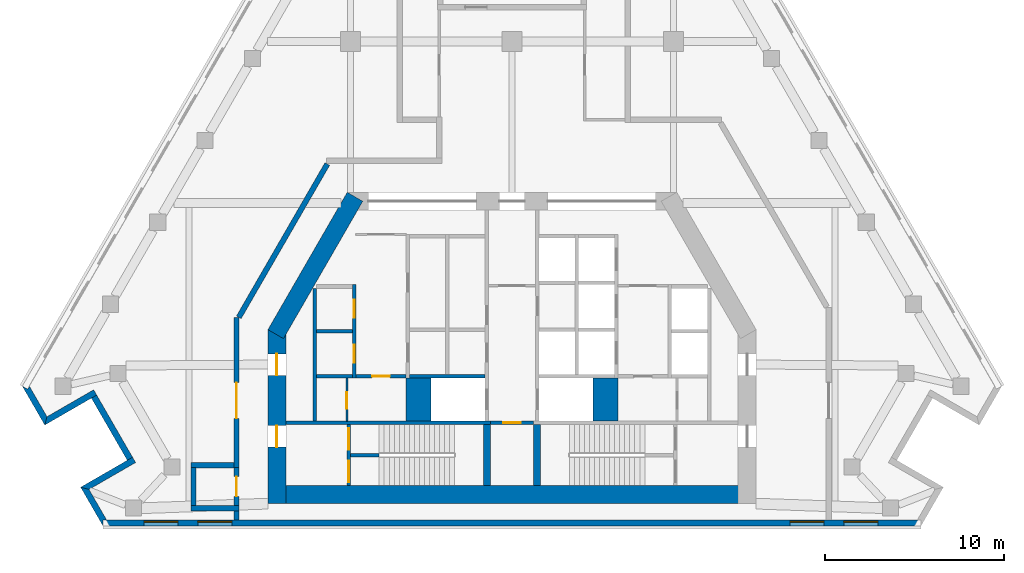
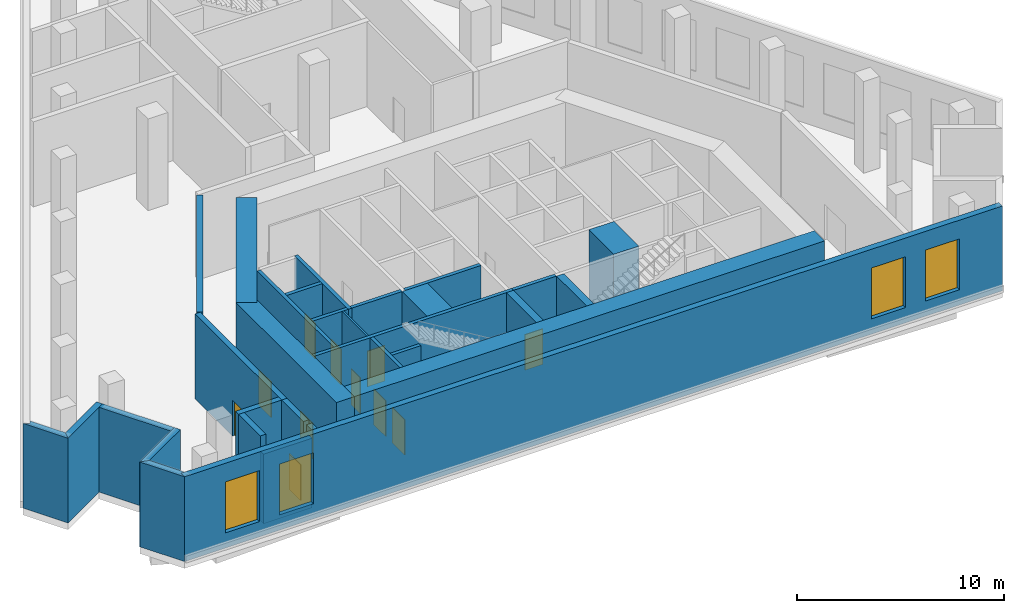
# One storey, part 2 of 7: 31 walls, 11 doors, 4 windows, 15 openings.
"""IFC4 building model written with IfcOpenShell, lengths in metres."""

from ifc_helpers import new_model, si_unit, direction, frame, frame_2d, origin, place, context, subcontext, project, spatial, polyline, rectangle, outline, extrude, material, layer, layer_set, type_object, element, fill, save


model = new_model("IFC4")

# Units and contexts
model_context = context("Model", 3, precision=1e-05, world=origin(), true_north=direction((0.0, 1.0)))
body_context = subcontext(model_context, "Body", "Model", "MODEL_VIEW")
ifc_project = project(units=[si_unit("LENGTHUNIT", "METRE"), si_unit("AREAUNIT", "SQUARE_METRE"), si_unit("VOLUMEUNIT", "CUBIC_METRE"), si_unit("PLANEANGLEUNIT", "RADIAN"), si_unit("MASSUNIT", "GRAM", prefix="KILO")], contexts=[model_context])

# Site, building, storey
site_placement = place(None, origin())
site = spatial("IfcSite", under=ifc_project, at=site_placement, CompositionType="ELEMENT")
building_placement = place(site_placement, origin())
building = spatial("IfcBuilding", under=site, at=building_placement, Name="Fogline Exchange Tower", CompositionType="ELEMENT")
storey_placement = place(building_placement, frame((0.0, 0.0, 218.10009765625)))
storey = spatial("IfcBuildingStorey", under=building, at=storey_placement, Name="L49", CompositionType="ELEMENT", Elevation=218.10009765625)

# Wall, opening, door
ifc_material_1 = material(Name="Blockwork partition", Category="masonry")
ifc_layer_1 = layer(ifc_material_1, 0.10009765625)
ifc_layer_set_1 = layer_set([ifc_layer_1], Name="CW10")
wall_type_1 = type_object("IfcWallType", Name="CW10", PredefinedType="PARTITIONING", material=ifc_layer_set_1)
wall_1_placement = place(storey_placement, frame((-9.199951171875, 5.85009765625, 0.0), z_axis=(0.0, 0.0, 1.0), x_axis=(0.0, 1.0, 0.0)))
wall_1 = element("IfcWall", 1, at=wall_1_placement, inside=storey, type_object=wall_type_1, Name="WC partition", PredefinedType="PARTITIONING", context=body_context, shape_type="SweptSolid", body=[
    extrude(rectangle(XDim=2.39990234375, YDim=0.10009765625, at=frame_2d((1.199951171875, 0.0))), origin(), (0.0, 0.0, 1.0), 5.0),
])
opening_1_placement = place(wall_1_placement, frame((0.699951171875, 0.0, 0.0)))
opening_1 = element("IfcOpeningElement", 2, at=opening_1_placement, cuts=wall_1, Name="Opening L49-C011", PredefinedType="OPENING", context=body_context, shape_type="SweptSolid", body=[
    extrude(rectangle(XDim=0.89990234375, YDim=2.10009765625, at=frame_2d((0.449951171875, 1.050048828125))), frame((0.0, 0.06005859375, 0.0), z_axis=(0.0, -1.0, 0.0), x_axis=(1.0, 0.0, 0.0)), (0.0, 0.0, 1.0), 0.1201171875),
])
ifc_material_2 = material(Name="Steel and timber fire door", Category="steel")
door_type_1 = type_object("IfcDoorType", Name="D-CS1", OperationType="SINGLE_SWING_RIGHT", PredefinedType="DOOR", material=ifc_material_2)
door_1_placement = place(opening_1_placement, origin())
door_1 = element("IfcDoor", 3, at=door_1_placement, inside=storey, type_object=door_type_1, Name="Door to Plumbing Plant Room", OperationType="SINGLE_SWING_LEFT", OverallHeight=2.10009765625, OverallWidth=0.89990234375, PredefinedType="DOOR", context=body_context, shape_type="SweptSolid", body=[
    extrude(rectangle(XDim=0.89990234375, YDim=2.10009765625, at=frame_2d((0.449951171875, 1.050048828125))), frame((0.0, 0.02490234375, 0.0), z_axis=(0.0, -1.0, 0.0), x_axis=(1.0, 0.0, 0.0)), (0.0, 0.0, 1.0), 0.050048828125),
])
fill(opening_1, door_1)

# Walls
ifc_material_3 = material(Name="Concrete C60", Category="concrete")
ifc_layer_2 = layer(ifc_material_3, 1.39990234375)
ifc_layer_set_2 = layer_set([ifc_layer_2], Name="CW140")
wall_type_2 = type_object("IfcWallType", Name="CW140", PredefinedType="SOLIDWALL", material=ifc_layer_set_2)
for number, where, z_axis, x_axis, name in (
    (4, (-5.199951171875, 5.85009765625, -0.400146484375), (0.0, 0.0, 1.0), (0.0, 1.0, 0.0), "Lift shaft block wall"),
    (5, (5.199951171875, 5.85009765625, -0.400146484375), (0.0, 0.0, 1.0), (0.0, 1.0, 0.0), "Lift shaft block wall"),
):
    element("IfcWall", number, at=place(storey_placement, frame(where, z_axis=z_axis, x_axis=x_axis)), inside=storey, type_object=wall_type_2, Name=name, PredefinedType="SOLIDWALL", context=body_context, shape_type="SweptSolid", body=[
        extrude(rectangle(XDim=2.39990234375, YDim=1.39990234375, at=frame_2d((1.199951171875, 0.0))), origin(), (0.0, 0.0, 1.0), 5.400146484375),
    ])
ifc_material_4 = material(Name="Concrete C40", Category="concrete")
ifc_layer_3 = layer(ifc_material_4, 0.199951171875)
ifc_layer_set_3 = layer_set([ifc_layer_3], Name="CW20")
wall_type_3 = type_object("IfcWallType", Name="CW20", PredefinedType="SOLIDWALL", material=ifc_layer_set_3)
wall_2_placement = place(storey_placement, frame((-11.0, 5.85009765625, 0.0), z_axis=(0.0, 0.0, 1.0), x_axis=(0.0, 1.0, 0.0)))
element("IfcWall", 6, at=wall_2_placement, inside=storey, type_object=wall_type_3, Name="Service room wall", PredefinedType="SOLIDWALL", context=body_context, shape_type="SweptSolid", body=[
    extrude(rectangle(XDim=7.39990234375, YDim=0.199951171875, at=frame_2d((3.699951171875, 0.0))), origin(), (0.0, 0.0, 1.0), 5.0),
])
wall_3_placement = place(storey_placement, frame((-10.89990234375, 10.85009765625, 0.0), z_axis=(0.0, 0.0, 1.0), x_axis=(1.0, 0.0, 0.0)))
element("IfcWall", 7, at=wall_3_placement, inside=storey, type_object=wall_type_3, Name="Service room wall", PredefinedType="SOLIDWALL", context=body_context, shape_type="SweptSolid", body=[
    extrude(rectangle(XDim=2.0, YDim=0.199951171875, at=frame_2d((1.0, 0.0))), origin(), (0.0, 0.0, 1.0), 5.0),
])

# Wall, opening, door
wall_4_placement = place(storey_placement, frame((-8.699951171875, 8.35009765625, 0.0), z_axis=(0.0, 0.0, 1.0), x_axis=(1.0, 0.0, 0.0)))
wall_4 = element("IfcWall", 8, at=wall_4_placement, inside=storey, type_object=wall_type_3, Name="WC wall", PredefinedType="SOLIDWALL", context=body_context, shape_type="SweptSolid", body=[
    extrude(rectangle(XDim=2.800048828125, YDim=0.199951171875, at=frame_2d((1.39990234375, 0.0))), origin(), (0.0, 0.0, 1.0), 5.0),
])
opening_2_placement = place(wall_4_placement, frame((0.89990234375, 0.0, 0.0)))
opening_2 = element("IfcOpeningElement", 9, at=opening_2_placement, cuts=wall_4, Name="Opening L49-C010", PredefinedType="OPENING", context=body_context, shape_type="SweptSolid", body=[
    extrude(rectangle(XDim=1.0, YDim=2.10009765625, at=frame_2d((0.5, 1.050048828125))), frame((0.0, 0.10986328125, 0.0), z_axis=(0.0, -1.0, 0.0), x_axis=(1.0, 0.0, 0.0)), (0.0, 0.0, 1.0), 0.219970703125),
])
door_type_2 = type_object("IfcDoorType", Name="D-WC1", OperationType="SINGLE_SWING_LEFT", PredefinedType="DOOR", material=ifc_material_2)
door_2_placement = place(opening_2_placement, frame((1.0, 0.0, 0.0), z_axis=(0.0, 0.0, 1.0), x_axis=(-1.0, 0.0, 0.0)))
door_2 = element("IfcDoor", 10, at=door_2_placement, inside=storey, type_object=door_type_2, Name="Door to Men's WC", OperationType="SINGLE_SWING_LEFT", OverallHeight=2.10009765625, OverallWidth=1.0, PredefinedType="DOOR", context=body_context, shape_type="SweptSolid", body=[
    extrude(rectangle(XDim=1.0, YDim=2.10009765625, at=frame_2d((0.5, 1.050048828125))), frame((0.0, 0.02490234375, 0.0), z_axis=(0.0, -1.0, 0.0), x_axis=(1.0, 0.0, 0.0)), (0.0, 0.0, 1.0), 0.050048828125),
])
fill(opening_2, door_2)

# Walls
ifc_layer_4 = layer(ifc_material_4, 0.199951171875)
ifc_layer_set_4 = layer_set([ifc_layer_4], Name="CW20B")
wall_type_4 = type_object("IfcWallType", Name="CW20B", PredefinedType="SOLIDWALL", material=ifc_layer_set_4)
wall_5_placement = place(storey_placement, frame((-9.0, 3.949951171875, 0.0), z_axis=(0.0, 0.0, 1.0), x_axis=(1.0, 0.0, 0.0)))
element("IfcWall", 11, at=wall_5_placement, inside=storey, type_object=wall_type_4, Name="Stair separation wall", PredefinedType="SOLIDWALL", context=body_context, shape_type="SweptSolid", body=[
    extrude(rectangle(XDim=1.60009765625, YDim=0.199951171875, at=frame_2d((0.800048828125, 0.0))), origin(), (0.0, 0.0, 1.0), 5.0),
])
ifc_layer_5 = layer(ifc_material_4, 0.199951171875)
ifc_layer_set_5 = layer_set([ifc_layer_5], Name="CW20R")
wall_type_5 = type_object("IfcWallType", Name="CW20R", PredefinedType="SOLIDWALL", material=ifc_layer_set_5)
wall_6_placement = place(storey_placement, frame((-12.60009765625, 5.75, -0.400146484375), z_axis=(0.0, 0.0, 1.0), x_axis=(1.0, 0.0, 0.0)))
element("IfcWall", 12, at=wall_6_placement, inside=storey, type_object=wall_type_5, Name="Stair enclosure wall", PredefinedType="SOLIDWALL", context=body_context, shape_type="SweptSolid", body=[
    extrude(rectangle(XDim=11.400146484375, YDim=0.199951171875, at=frame_2d((5.7001953125, 0.0))), origin(), (0.0, 0.0, 1.0), 5.400146484375),
])

# Wall, opening, door
wall_7_placement = place(storey_placement, frame((-1.199951171875, 5.75, -0.400146484375), z_axis=(0.0, 0.0, 1.0), x_axis=(1.0, 0.0, 0.0)))
wall_7 = element("IfcWall", 13, at=wall_7_placement, inside=storey, type_object=wall_type_5, Name="Stair enclosure wall", PredefinedType="SOLIDWALL", context=body_context, shape_type="SweptSolid", body=[
    extrude(rectangle(XDim=2.39990234375, YDim=0.199951171875, at=frame_2d((1.199951171875, 0.0))), origin(), (0.0, 0.0, 1.0), 5.400146484375),
])
opening_3_placement = place(wall_7_placement, frame((0.699951171875, 0.0, 0.39990234375)))
opening_3 = element("IfcOpeningElement", 14, at=opening_3_placement, cuts=wall_7, Name="Opening L49-C008", PredefinedType="OPENING", context=body_context, shape_type="SweptSolid", body=[
    extrude(rectangle(XDim=1.0, YDim=2.10009765625, at=frame_2d((0.5, 1.050048828125))), frame((0.0, 0.10986328125, 0.0), z_axis=(0.0, -1.0, 0.0), x_axis=(1.0, 0.0, 0.0)), (0.0, 0.0, 1.0), 0.219970703125),
])
door_type_3 = type_object("IfcDoorType", Name="D-RM1", OperationType="SINGLE_SWING_LEFT", PredefinedType="DOOR", material=ifc_material_2)
door_3_placement = place(opening_3_placement, frame((1.0, 0.0, 0.0), z_axis=(0.0, 0.0, 1.0), x_axis=(-1.0, 0.0, 0.0)))
door_3 = element("IfcDoor", 15, at=door_3_placement, inside=storey, type_object=door_type_3, Name="Door to Pump Plant Room", OperationType="SINGLE_SWING_RIGHT", OverallHeight=2.10009765625, OverallWidth=1.0, PredefinedType="DOOR", context=body_context, shape_type="SweptSolid", body=[
    extrude(rectangle(XDim=1.0, YDim=2.10009765625, at=frame_2d((0.5, 1.050048828125))), frame((0.0, 0.02490234375, 0.0), z_axis=(0.0, -1.0, 0.0), x_axis=(1.0, 0.0, 0.0)), (0.0, 0.0, 1.0), 0.050048828125),
])
fill(opening_3, door_3)

# Wall, openings, doors
wall_8_placement = place(storey_placement, frame((-9.10009765625, 2.25, -0.400146484375), z_axis=(0.0, 0.0, 1.0), x_axis=(0.0, 1.0, 0.0)))
wall_8 = element("IfcWall", 16, at=wall_8_placement, inside=storey, type_object=wall_type_5, Name="Stair enclosure wall", PredefinedType="SOLIDWALL", context=body_context, shape_type="SweptSolid", body=[
    extrude(rectangle(XDim=3.39990234375, YDim=0.199951171875, at=frame_2d((1.699951171875, 0.0))), origin(), (0.0, 0.0, 1.0), 5.400146484375),
])
opening_4_placement = place(wall_8_placement, frame((0.199951171875, 0.0, 0.39990234375)))
opening_4 = element("IfcOpeningElement", 17, at=opening_4_placement, cuts=wall_8, Name="Opening L49-C013", PredefinedType="OPENING", context=body_context, shape_type="SweptSolid", body=[
    extrude(rectangle(XDim=1.199951171875, YDim=2.10009765625, at=frame_2d((0.60009765625, 1.050048828125))), frame((0.0, 0.10986328125, 0.0), z_axis=(0.0, -1.0, 0.0), x_axis=(1.0, 0.0, 0.0)), (0.0, 0.0, 1.0), 0.219970703125),
])
opening_5_placement = place(wall_8_placement, frame((2.0, 0.0, 0.39990234375)))
opening_5 = element("IfcOpeningElement", 18, at=opening_5_placement, cuts=wall_8, Name="Opening L49-C025", PredefinedType="OPENING", context=body_context, shape_type="SweptSolid", body=[
    extrude(rectangle(XDim=1.199951171875, YDim=2.10009765625, at=frame_2d((0.60009765625, 1.050048828125))), frame((0.0, 0.10986328125, 0.0), z_axis=(0.0, -1.0, 0.0), x_axis=(1.0, 0.0, 0.0)), (0.0, 0.0, 1.0), 0.219970703125),
])
door_type_4 = type_object("IfcDoorType", Name="D-ST1", OperationType="SINGLE_SWING_LEFT", PredefinedType="DOOR", material=ifc_material_2)
door_4_placement = place(opening_4_placement, frame((1.199951171875, 0.0, 0.0), z_axis=(0.0, 0.0, 1.0), x_axis=(-1.0, 0.0, 0.0)))
door_4 = element("IfcDoor", 19, at=door_4_placement, inside=storey, type_object=door_type_4, Name="Stair door ST1", OperationType="SINGLE_SWING_RIGHT", OverallHeight=2.10009765625, OverallWidth=1.199951171875, PredefinedType="DOOR", context=body_context, shape_type="SweptSolid", body=[
    extrude(rectangle(XDim=1.199951171875, YDim=2.10009765625, at=frame_2d((0.60009765625, 1.050048828125))), frame((0.0, 0.02490234375, 0.0), z_axis=(0.0, -1.0, 0.0), x_axis=(1.0, 0.0, 0.0)), (0.0, 0.0, 1.0), 0.050048828125),
])
fill(opening_4, door_4)
door_5_placement = place(opening_5_placement, origin())
door_5 = element("IfcDoor", 20, at=door_5_placement, inside=storey, type_object=door_type_4, Name="Stair arrival door ST1", OperationType="SINGLE_SWING_RIGHT", OverallHeight=2.10009765625, OverallWidth=1.199951171875, PredefinedType="DOOR", context=body_context, shape_type="SweptSolid", body=[
    extrude(rectangle(XDim=1.199951171875, YDim=2.10009765625, at=frame_2d((0.60009765625, 1.050048828125))), frame((0.0, 0.02490234375, 0.0), z_axis=(0.0, -1.0, 0.0), x_axis=(1.0, 0.0, 0.0)), (0.0, 0.0, 1.0), 0.050048828125),
])
fill(opening_5, door_5)

ifc_layer_6 = layer(ifc_material_4, 0.199951171875)
ifc_layer_set_6 = layer_set([ifc_layer_6], Name="CW20S")
wall_type_6 = type_object("IfcWallType", Name="CW20S", PredefinedType="SOLIDWALL", material=ifc_layer_set_6)
wall_9_placement = place(storey_placement, frame((-8.800048828125, 8.25, -0.400146484375), z_axis=(0.0, 0.0, 1.0), x_axis=(0.0, 1.0, 0.0)))
wall_9 = element("IfcWall", 21, at=wall_9_placement, inside=storey, type_object=wall_type_6, Name="Lift shaft wall", PredefinedType="SOLIDWALL", context=body_context, shape_type="SweptSolid", body=[
    extrude(rectangle(XDim=5.199951171875, YDim=0.199951171875, at=frame_2d((2.60009765625, 0.0))), origin(), (0.0, 0.0, 1.0), 5.400146484375),
])
opening_6_placement = place(wall_9_placement, frame((0.85009765625, 0.0, 0.39990234375)))
opening_6 = element("IfcOpeningElement", 22, at=opening_6_placement, cuts=wall_9, Name="Opening L49-C001", PredefinedType="OPENING", context=body_context, shape_type="SweptSolid", body=[
    extrude(rectangle(XDim=1.0, YDim=2.10009765625, at=frame_2d((0.5, 1.050048828125))), frame((0.0, 0.10986328125, 0.0), z_axis=(0.0, -1.0, 0.0), x_axis=(1.0, 0.0, 0.0)), (0.0, 0.0, 1.0), 0.219970703125),
])
opening_7_placement = place(wall_9_placement, frame((3.35009765625, 0.0, 0.39990234375)))
opening_7 = element("IfcOpeningElement", 23, at=opening_7_placement, cuts=wall_9, Name="Opening L49-C002", PredefinedType="OPENING", context=body_context, shape_type="SweptSolid", body=[
    extrude(rectangle(XDim=1.0, YDim=2.10009765625, at=frame_2d((0.5, 1.050048828125))), frame((0.0, 0.10986328125, 0.0), z_axis=(0.0, -1.0, 0.0), x_axis=(1.0, 0.0, 0.0)), (0.0, 0.0, 1.0), 0.219970703125),
])
door_6_placement = place(opening_6_placement, origin())
door_6 = element("IfcDoor", 24, at=door_6_placement, inside=storey, type_object=door_type_3, Name="Door to AHU Room", OperationType="SINGLE_SWING_RIGHT", OverallHeight=2.10009765625, OverallWidth=1.0, PredefinedType="DOOR", context=body_context, shape_type="SweptSolid", body=[
    extrude(rectangle(XDim=1.0, YDim=2.10009765625, at=frame_2d((0.5, 1.050048828125))), frame((0.0, 0.02490234375, 0.0), z_axis=(0.0, -1.0, 0.0), x_axis=(1.0, 0.0, 0.0)), (0.0, 0.0, 1.0), 0.050048828125),
])
fill(opening_6, door_6)
door_7_placement = place(opening_7_placement, origin())
door_7 = element("IfcDoor", 25, at=door_7_placement, inside=storey, type_object=door_type_3, Name="Door to Transformer Room", OperationType="SINGLE_SWING_RIGHT", OverallHeight=2.10009765625, OverallWidth=1.0, PredefinedType="DOOR", context=body_context, shape_type="SweptSolid", body=[
    extrude(rectangle(XDim=1.0, YDim=2.10009765625, at=frame_2d((0.5, 1.050048828125))), frame((0.0, 0.02490234375, 0.0), z_axis=(0.0, -1.0, 0.0), x_axis=(1.0, 0.0, 0.0)), (0.0, 0.0, 1.0), 0.050048828125),
])
fill(opening_7, door_7)

# Walls
wall_10_placement = place(storey_placement, frame((-10.89990234375, 8.35009765625, -0.400146484375), z_axis=(0.0, 0.0, 1.0), x_axis=(1.0, 0.0, 0.0)))
element("IfcWall", 26, at=wall_10_placement, inside=storey, type_object=wall_type_6, Name="Lift shaft wall", PredefinedType="SOLIDWALL", context=body_context, shape_type="SweptSolid", body=[
    extrude(rectangle(XDim=2.0, YDim=0.199951171875, at=frame_2d((1.0, 0.0))), origin(), (0.0, 0.0, 1.0), 5.400146484375),
])
wall_11_placement = place(storey_placement, frame((-5.699951171875, 8.35009765625, -0.400146484375), z_axis=(0.0, 0.0, 1.0), x_axis=(1.0, 0.0, 0.0)))
element("IfcWall", 27, at=wall_11_placement, inside=storey, type_object=wall_type_6, Name="Lift shaft wall", PredefinedType="SOLIDWALL", context=body_context, shape_type="SweptSolid", body=[
    extrude(rectangle(XDim=4.199951171875, YDim=0.199951171875, at=frame_2d((2.10009765625, 0.0))), origin(), (0.0, 0.0, 1.0), 5.400146484375),
])
ifc_layer_7 = layer(ifc_material_4, 0.39990234375)
ifc_layer_set_7 = layer_set([ifc_layer_7], Name="CW40R")
wall_type_7 = type_object("IfcWallType", Name="CW40R", PredefinedType="SOLIDWALL", material=ifc_layer_set_7)
for number, where, z_axis, x_axis, name in (
    (28, (-1.39990234375, 2.25, -0.400146484375), (0.0, 0.0, 1.0), (0.0, 1.0, 0.0), "Stair and lift shaft wall"),
    (29, (1.39990234375, 2.25, -0.400146484375), (0.0, 0.0, 1.0), (0.0, 1.0, 0.0), "Stair and lift shaft wall"),
):
    element("IfcWall", number, at=place(storey_placement, frame(where, z_axis=z_axis, x_axis=x_axis)), inside=storey, type_object=wall_type_7, Name=name, PredefinedType="SOLIDWALL", context=body_context, shape_type="SweptSolid", body=[
        extrude(rectangle(XDim=3.39990234375, YDim=0.39990234375, at=frame_2d((1.699951171875, 0.0))), origin(), (0.0, 0.0, 1.0), 5.400146484375),
    ])
ifc_material_5 = material(Name="Brick masonry", Category="masonry")
ifc_layer_8 = layer(ifc_material_5, 0.340087890625)
ifc_layer_set_8 = layer_set([ifc_layer_8], Name="FW3")
wall_type_8 = type_object("IfcWallType", Name="FW3", PredefinedType="SOLIDWALL", material=ifc_layer_set_8)
wall_12_placement = place(storey_placement, origin())
element("IfcWall", 30, at=wall_12_placement, inside=storey, type_object=wall_type_8, Name="Brick wall L49 SW-c1", PredefinedType="SOLIDWALL", context=body_context, shape_type="SweptSolid", body=[
    extrude(outline(polyline([(-26.03662109375, 5.6279296875), (-27.28759765625, 7.794921875), (-27.287109375, 7.79541015625), (-26.9921875, 7.625), (-26.89404296875, 7.79541015625), (-25.911376953125, 6.09375), (-26.0361328125, 5.6279296875), (-26.03662109375, 5.6279296875)])), origin(), (0.0, 0.0, 1.0), 5.0),
])
wall_13_placement = place(storey_placement, origin())
element("IfcWall", 31, at=wall_13_placement, inside=storey, type_object=wall_type_8, Name="Brick wall L49 SW-s1", PredefinedType="SOLIDWALL", context=body_context, shape_type="SweptSolid", body=[
    extrude(outline(polyline([(-23.313720703125, 7.594482421875), (-23.14306640625, 7.298828125), (-23.438232421875, 7.128662109375), (-26.037109375, 5.628173828125), (-26.037353515625, 5.62841796875), (-25.91259765625, 6.093994140625), (-23.313720703125, 7.594482421875)])), origin(), (0.0, 0.0, 1.0), 5.0),
])
wall_14_placement = place(storey_placement, frame((-23.291259765625, 7.214111328125, 0.0), z_axis=(0.0, 0.0, 1.0), x_axis=(0.49999894854, -0.866026010844, 0.0)))
element("IfcWall", 32, at=wall_14_placement, inside=storey, type_object=wall_type_8, Name="Brick wall L49 SW-bk", PredefinedType="SOLIDWALL", context=body_context, shape_type="SweptSolid", body=[
    extrude(rectangle(XDim=4.0, YDim=0.340087890625, at=frame_2d((2.0, 0.0))), origin(), (0.0, 0.0, 1.0), 5.0),
])
wall_15_placement = place(storey_placement, origin())
element("IfcWall", 33, at=wall_15_placement, inside=storey, type_object=wall_type_8, Name="Brick wall L49 SW-s2", PredefinedType="SOLIDWALL", context=body_context, shape_type="SweptSolid", body=[
    extrude(outline(polyline([(-24.037841796875, 2.1650390625), (-21.438720703125, 3.66552734375), (-21.143798828125, 3.8359375), (-20.97314453125, 3.540283203125), (-23.572021484375, 2.0400390625), (-24.03759765625, 2.164794921875), (-24.037841796875, 2.1650390625)])), origin(), (0.0, 0.0, 1.0), 5.0),
])
wall_16_placement = place(storey_placement, origin())
element("IfcWall", 34, at=wall_16_placement, inside=storey, type_object=wall_type_8, Name="Brick wall L49 SW-c2", PredefinedType="SOLIDWALL", context=body_context, shape_type="SweptSolid", body=[
    extrude(outline(polyline([(-22.589111328125, 0.33935546875), (-22.785888671875, 0.33935546875), (-22.785888671875, -0.0009765625), (-22.78662109375, -0.001220703125), (-24.03759765625, 2.165771484375), (-24.037353515625, 2.166015625), (-23.57177734375, 2.041015625), (-22.589111328125, 0.33935546875)])), origin(), (0.0, 0.0, 1.0), 5.0),
])

# Wall, openings, windows
wall_17_placement = place(storey_placement, frame((-22.78662109375, 0.169921875, 0.0), z_axis=(0.0, 0.0, 1.0), x_axis=(1.0, 0.0, 0.0)))
wall_17 = element("IfcWall", 35, at=wall_17_placement, inside=storey, type_object=wall_type_8, Name="Brick wall L49 S", PredefinedType="SOLIDWALL", context=body_context, shape_type="SweptSolid", body=[
    extrude(rectangle(XDim=45.5732421875, YDim=0.340087890625, at=frame_2d((22.78662109375, 0.0))), origin(), (0.0, 0.0, 1.0), 5.0),
])
opening_8_placement = place(wall_17_placement, frame((2.28662109375, 0.0, 0.89990234375)))
opening_8 = element("IfcOpeningElement", 36, at=opening_8_placement, cuts=wall_17, Name="Opening W6", PredefinedType="OPENING", context=body_context, shape_type="SweptSolid", body=[
    extrude(rectangle(XDim=1.885009765625, YDim=3.0, at=frame_2d((0.9423828125, 1.5))), frame((0.0, 0.18017578125, 0.0), z_axis=(0.0, -1.0, 0.0), x_axis=(1.0, 0.0, 0.0)), (0.0, 0.0, 1.0), 0.360107421875),
])
opening_9_placement = place(wall_17_placement, frame((5.28662109375, 0.0, 0.89990234375)))
opening_9 = element("IfcOpeningElement", 37, at=opening_9_placement, cuts=wall_17, Name="Opening W6", PredefinedType="OPENING", context=body_context, shape_type="SweptSolid", body=[
    extrude(rectangle(XDim=1.885009765625, YDim=3.0, at=frame_2d((0.9423828125, 1.5))), frame((0.0, 0.18017578125, 0.0), z_axis=(0.0, -1.0, 0.0), x_axis=(1.0, 0.0, 0.0)), (0.0, 0.0, 1.0), 0.360107421875),
])
opening_10_placement = place(wall_17_placement, frame((38.28662109375, 0.0, 0.89990234375)))
opening_10 = element("IfcOpeningElement", 38, at=opening_10_placement, cuts=wall_17, Name="Opening W6", PredefinedType="OPENING", context=body_context, shape_type="SweptSolid", body=[
    extrude(rectangle(XDim=1.885009765625, YDim=3.0, at=frame_2d((0.9423828125, 1.5))), frame((0.0, 0.18017578125, 0.0), z_axis=(0.0, -1.0, 0.0), x_axis=(1.0, 0.0, 0.0)), (0.0, 0.0, 1.0), 0.360107421875),
])
opening_11_placement = place(wall_17_placement, frame((41.28662109375, 0.0, 0.89990234375)))
opening_11 = element("IfcOpeningElement", 39, at=opening_11_placement, cuts=wall_17, Name="Opening W6", PredefinedType="OPENING", context=body_context, shape_type="SweptSolid", body=[
    extrude(rectangle(XDim=1.885009765625, YDim=3.0, at=frame_2d((0.9423828125, 1.5))), frame((0.0, 0.18017578125, 0.0), z_axis=(0.0, -1.0, 0.0), x_axis=(1.0, 0.0, 0.0)), (0.0, 0.0, 1.0), 0.360107421875),
])
ifc_material_6 = material(Name="Aluminium louvre", Category="aluminium")
window_type = type_object("IfcWindowType", Name="W6", PartitioningType="SINGLE_PANEL", PredefinedType="WINDOW", material=ifc_material_6)
window_1_placement = place(opening_8_placement, origin())
window_1 = element("IfcWindow", 40, at=window_1_placement, inside=storey, type_object=window_type, Name="W6 W6", OverallHeight=3.0, OverallWidth=1.885009765625, PartitioningType="SINGLE_PANEL", PredefinedType="WINDOW", context=body_context, shape_type="SweptSolid", body=[
    extrude(rectangle(XDim=1.885009765625, YDim=3.0, at=frame_2d((0.9423828125, 1.5))), frame((0.0, 0.110107421875, 0.0), z_axis=(0.0, -1.0, 0.0), x_axis=(1.0, 0.0, 0.0)), (0.0, 0.0, 1.0), 0.06005859375),
])
fill(opening_8, window_1)
window_2_placement = place(opening_9_placement, origin())
window_2 = element("IfcWindow", 41, at=window_2_placement, inside=storey, type_object=window_type, Name="W6 W6", OverallHeight=3.0, OverallWidth=1.885009765625, PartitioningType="SINGLE_PANEL", PredefinedType="WINDOW", context=body_context, shape_type="SweptSolid", body=[
    extrude(rectangle(XDim=1.885009765625, YDim=3.0, at=frame_2d((0.9423828125, 1.5))), frame((0.0, 0.110107421875, 0.0), z_axis=(0.0, -1.0, 0.0), x_axis=(1.0, 0.0, 0.0)), (0.0, 0.0, 1.0), 0.06005859375),
])
fill(opening_9, window_2)
window_3_placement = place(opening_10_placement, origin())
window_3 = element("IfcWindow", 42, at=window_3_placement, inside=storey, type_object=window_type, Name="W6 W6", OverallHeight=3.0, OverallWidth=1.885009765625, PartitioningType="SINGLE_PANEL", PredefinedType="WINDOW", context=body_context, shape_type="SweptSolid", body=[
    extrude(rectangle(XDim=1.885009765625, YDim=3.0, at=frame_2d((0.9423828125, 1.5))), frame((0.0, 0.110107421875, 0.0), z_axis=(0.0, -1.0, 0.0), x_axis=(1.0, 0.0, 0.0)), (0.0, 0.0, 1.0), 0.06005859375),
])
fill(opening_10, window_3)
window_4_placement = place(opening_11_placement, origin())
window_4 = element("IfcWindow", 43, at=window_4_placement, inside=storey, type_object=window_type, Name="W6 W6", OverallHeight=3.0, OverallWidth=1.885009765625, PartitioningType="SINGLE_PANEL", PredefinedType="WINDOW", context=body_context, shape_type="SweptSolid", body=[
    extrude(rectangle(XDim=1.885009765625, YDim=3.0, at=frame_2d((0.9423828125, 1.5))), frame((0.0, 0.110107421875, 0.0), z_axis=(0.0, -1.0, 0.0), x_axis=(1.0, 0.0, 0.0)), (0.0, 0.0, 1.0), 0.06005859375),
])
fill(opening_11, window_4)

# Wall
ifc_layer_9 = layer(ifc_material_4, 0.300048828125)
ifc_layer_set_9 = layer_set([ifc_layer_9], Name="PP4")
wall_type_9 = type_object("IfcWallType", Name="PP4", PredefinedType="SOLIDWALL", material=ifc_layer_set_9)
wall_18_placement = place(storey_placement, frame((-15.22607421875, 11.62890625, 0.0), z_axis=(0.0, 0.0, 1.0), x_axis=(0.50000302904, 0.86602365496, 0.0)))
element("IfcWall", 44, at=wall_18_placement, inside=storey, type_object=wall_type_9, Name="PP4 partition", PredefinedType="SOLIDWALL", context=body_context, shape_type="SweptSolid", body=[
    extrude(rectangle(XDim=9.8671875, YDim=0.300048828125, at=frame_2d((4.93359375, 0.0))), origin(), (0.0, 0.0, 1.0), 5.0),
])

# Wall, opening, door
wall_19_placement = place(storey_placement, frame((-15.35009765625, 3.25, 0.0), z_axis=(0.0, 0.0, 1.0), x_axis=(0.0, 1.0, 0.0)))
wall_19 = element("IfcWall", 45, at=wall_19_placement, inside=storey, type_object=wall_type_9, Name="PP4 partition", PredefinedType="SOLIDWALL", context=body_context, shape_type="SweptSolid", body=[
    extrude(rectangle(XDim=8.364013671875, YDim=0.300048828125, at=frame_2d((4.18212890625, 0.0))), origin(), (0.0, 0.0, 1.0), 5.0),
])
opening_12_placement = place(wall_19_placement, frame((2.75, 0.0, 0.0)))
opening_12 = element("IfcOpeningElement", 46, at=opening_12_placement, cuts=wall_19, Name="Opening L49-D007", PredefinedType="OPENING", context=body_context, shape_type="SweptSolid", body=[
    extrude(rectangle(XDim=2.0, YDim=2.10009765625, at=frame_2d((1.0, 1.050048828125))), frame((0.0, 0.16015625, 0.0), z_axis=(0.0, -1.0, 0.0), x_axis=(1.0, 0.0, 0.0)), (0.0, 0.0, 1.0), 0.320068359375),
])
ifc_material_7 = material(Name="Steel Q235B", Category="steel")
door_type_5 = type_object("IfcDoorType", Name="PD6", OperationType="DOUBLE_DOOR_SINGLE_SWING", PredefinedType="DOOR", material=ifc_material_7)
door_8_placement = place(opening_12_placement, frame((2.0, 0.0, 0.0), z_axis=(0.0, 0.0, 1.0), x_axis=(-1.0, 0.0, 0.0)))
door_8 = element("IfcDoor", 47, at=door_8_placement, inside=storey, type_object=door_type_5, Name="L49-D007", OperationType="DOUBLE_DOOR_SINGLE_SWING", OverallHeight=2.10009765625, OverallWidth=2.0, PredefinedType="DOOR", context=body_context, shape_type="SweptSolid", body=[
    extrude(rectangle(XDim=2.0, YDim=2.10009765625, at=frame_2d((1.0, 1.050048828125))), frame((0.0, 0.02490234375, 0.0), z_axis=(0.0, -1.0, 0.0), x_axis=(1.0, 0.0, 0.0)), (0.0, 0.0, 1.0), 0.050048828125),
])
fill(opening_12, door_8)

# Walls
wall_20_placement = place(storey_placement, frame((-15.199951171875, 1.0, 0.0), z_axis=(0.0, 0.0, 1.0), x_axis=(-1.0, 0.0, 0.0)))
element("IfcWall", 48, at=wall_20_placement, inside=storey, type_object=wall_type_9, Name="PP4 partition", PredefinedType="SOLIDWALL", context=body_context, shape_type="SweptSolid", body=[
    extrude(rectangle(XDim=2.699951171875, YDim=0.300048828125, at=frame_2d((1.35009765625, 0.0))), origin(), (0.0, 0.0, 1.0), 4.099853515625),
])
wall_21_placement = place(storey_placement, frame((-17.89990234375, 3.39990234375, 0.0), z_axis=(0.0, 0.0, 1.0), x_axis=(1.0, 0.0, 0.0)))
element("IfcWall", 49, at=wall_21_placement, inside=storey, type_object=wall_type_9, Name="PP4 partition", PredefinedType="SOLIDWALL", context=body_context, shape_type="SweptSolid", body=[
    extrude(rectangle(XDim=2.39990234375, YDim=0.300048828125, at=frame_2d((1.199951171875, 0.0))), origin(), (0.0, 0.0, 1.0), 5.0),
])
wall_22_placement = place(storey_placement, frame((-17.75, 1.14990234375, 0.0), z_axis=(0.0, 0.0, 1.0), x_axis=(0.0, 1.0, 0.0)))
element("IfcWall", 50, at=wall_22_placement, inside=storey, type_object=wall_type_9, Name="PP4 partition", PredefinedType="SOLIDWALL", context=body_context, shape_type="SweptSolid", body=[
    extrude(rectangle(XDim=2.10009765625, YDim=0.300048828125, at=frame_2d((1.050048828125, 0.0))), origin(), (0.0, 0.0, 1.0), 5.0),
])

# Wall, opening, door
wall_23_placement = place(storey_placement, frame((-15.35009765625, 1.14990234375, 0.0), z_axis=(0.0, 0.0, 1.0), x_axis=(0.0, 1.0, 0.0)))
wall_23 = element("IfcWall", 51, at=wall_23_placement, inside=storey, type_object=wall_type_9, Name="PP4 partition", PredefinedType="SOLIDWALL", context=body_context, shape_type="SweptSolid", body=[
    extrude(rectangle(XDim=2.10009765625, YDim=0.300048828125, at=frame_2d((1.050048828125, 0.0))), origin(), (0.0, 0.0, 1.0), 5.0),
])
opening_13_placement = place(wall_23_placement, frame((0.5, 0.0, 0.0)))
opening_13 = element("IfcOpeningElement", 52, at=opening_13_placement, cuts=wall_23, Name="Opening L49-D001", PredefinedType="OPENING", context=body_context, shape_type="SweptSolid", body=[
    extrude(rectangle(XDim=1.10009765625, YDim=2.10009765625, at=frame_2d((0.550048828125, 1.050048828125))), frame((0.0, 0.16015625, 0.0), z_axis=(0.0, -1.0, 0.0), x_axis=(1.0, 0.0, 0.0)), (0.0, 0.0, 1.0), 0.320068359375),
])
door_type_6 = type_object("IfcDoorType", Name="PD5", OperationType="SINGLE_SWING_LEFT", PredefinedType="DOOR", material=ifc_material_7)
door_9_placement = place(opening_13_placement, origin())
door_9 = element("IfcDoor", 53, at=door_9_placement, inside=storey, type_object=door_type_6, Name="L49-D001", OperationType="SINGLE_SWING_LEFT", OverallHeight=2.10009765625, OverallWidth=1.10009765625, PredefinedType="DOOR", context=body_context, shape_type="SweptSolid", body=[
    extrude(rectangle(XDim=1.10009765625, YDim=2.10009765625, at=frame_2d((0.550048828125, 1.050048828125))), frame((0.0, 0.02490234375, 0.0), z_axis=(0.0, -1.0, 0.0), x_axis=(1.0, 0.0, 0.0)), (0.0, 0.0, 1.0), 0.050048828125),
])
fill(opening_13, door_9)

# Walls
wall_24_placement = place(storey_placement, frame((-15.35009765625, 0.340087890625, 0.0), z_axis=(0.0, 0.0, 1.0), x_axis=(0.0, 1.0, 0.0)))
element("IfcWall", 54, at=wall_24_placement, inside=storey, type_object=wall_type_9, Name="PP4 partition", PredefinedType="SOLIDWALL", context=body_context, shape_type="SweptSolid", body=[
    extrude(rectangle(XDim=0.510009765625, YDim=0.300048828125, at=frame_2d((0.2548828125, 0.0))), origin(), (0.0, 0.0, 1.0), 5.0),
])
ifc_layer_10 = layer(ifc_material_3, 1.0)
ifc_layer_set_10 = layer_set([ifc_layer_10], Name="SW03")
wall_type_10 = type_object("IfcWallType", Name="SW03", PredefinedType="SHEAR", material=ifc_layer_set_10)
wall_25_placement = place(storey_placement, frame((-13.60009765625, 1.75, 0.0), z_axis=(0.0, 0.0, 1.0), x_axis=(1.0, 0.0, 0.0)))
element("IfcWall", 55, at=wall_25_placement, inside=storey, type_object=wall_type_10, Name="L49-W901", PredefinedType="SHEAR", context=body_context, shape_type="SweptSolid", body=[
    extrude(rectangle(XDim=27.2001953125, YDim=1.0, at=frame_2d((13.60009765625, 0.0))), origin(), (0.0, 0.0, 1.0), 5.39990234375),
])
wall_26_placement = place(storey_placement, frame((-8.74755859375, 18.35009765625, 0.0), z_axis=(0.0, 0.0, 1.0), x_axis=(-0.499995021168, -0.866028278295, 0.0)))
element("IfcWall", 56, at=wall_26_placement, inside=storey, type_object=wall_type_10, Name="L49-W905", PredefinedType="SHEAR", context=body_context, shape_type="SweptSolid", body=[
    extrude(rectangle(XDim=8.8388671875, YDim=1.0, at=frame_2d((4.41943359375, 0.0))), origin(), (0.0, 0.0, 1.0), 5.39990234375),
])

# Wall, openings, doors
wall_27_placement = place(storey_placement, frame((-13.10009765625, 10.9453125, 0.0), z_axis=(0.0, 0.0, 1.0), x_axis=(0.0, -1.0, 0.0)))
wall_27 = element("IfcWall", 57, at=wall_27_placement, inside=storey, type_object=wall_type_10, Name="L49-W906", PredefinedType="SHEAR", context=body_context, shape_type="SweptSolid", body=[
    extrude(rectangle(XDim=9.6953125, YDim=1.0, at=frame_2d((4.84765625, 0.0))), origin(), (0.0, 0.0, 1.0), 5.39990234375),
])
opening_14_placement = place(wall_27_placement, frame((5.345458984375, 0.0, 0.0)))
opening_14 = element("IfcOpeningElement", 58, at=opening_14_placement, cuts=wall_27, Name="Opening L49-C012", PredefinedType="OPENING", context=body_context, shape_type="SweptSolid", body=[
    extrude(rectangle(XDim=1.199951171875, YDim=2.10009765625, at=frame_2d((0.60009765625, 1.050048828125))), frame((0.0, 0.510009765625, 0.0), z_axis=(0.0, -1.0, 0.0), x_axis=(1.0, 0.0, 0.0)), (0.0, 0.0, 1.0), 1.02001953125),
])
opening_15_placement = place(wall_27_placement, frame((1.345458984375, 0.0, 0.0)))
opening_15 = element("IfcOpeningElement", 59, at=opening_15_placement, cuts=wall_27, Name="Opening L49-C014", PredefinedType="OPENING", context=body_context, shape_type="SweptSolid", body=[
    extrude(rectangle(XDim=1.199951171875, YDim=2.10009765625, at=frame_2d((0.60009765625, 1.050048828125))), frame((0.0, 0.510009765625, 0.0), z_axis=(0.0, -1.0, 0.0), x_axis=(1.0, 0.0, 0.0)), (0.0, 0.0, 1.0), 1.02001953125),
])
door_type_7 = type_object("IfcDoorType", Name="D-FR1", OperationType="SINGLE_SWING_RIGHT", PredefinedType="DOOR", material=ifc_material_2)
door_10_placement = place(opening_14_placement, origin())
door_10 = element("IfcDoor", 60, at=door_10_placement, inside=storey, type_object=door_type_7, Name="Front room door ST1", OperationType="SINGLE_SWING_LEFT", OverallHeight=2.10009765625, OverallWidth=1.199951171875, PredefinedType="DOOR", context=body_context, shape_type="SweptSolid", body=[
    extrude(rectangle(XDim=1.199951171875, YDim=2.10009765625, at=frame_2d((0.60009765625, 1.050048828125))), frame((0.0, 0.02490234375, 0.0), z_axis=(0.0, -1.0, 0.0), x_axis=(1.0, 0.0, 0.0)), (0.0, 0.0, 1.0), 0.050048828125),
])
fill(opening_14, door_10)
door_type_8 = type_object("IfcDoorType", Name="D-SV1", OperationType="SINGLE_SWING_LEFT", PredefinedType="DOOR", material=ifc_material_2)
door_11_placement = place(opening_15_placement, origin())
door_11 = element("IfcDoor", 61, at=door_11_placement, inside=storey, type_object=door_type_8, Name="Service door W", OperationType="SINGLE_SWING_LEFT", OverallHeight=2.10009765625, OverallWidth=1.199951171875, PredefinedType="DOOR", context=body_context, shape_type="SweptSolid", body=[
    extrude(rectangle(XDim=1.199951171875, YDim=2.10009765625, at=frame_2d((0.60009765625, 1.050048828125))), frame((0.0, 0.02490234375, 0.0), z_axis=(0.0, -1.0, 0.0), x_axis=(1.0, 0.0, 0.0)), (0.0, 0.0, 1.0), 0.050048828125),
])
fill(opening_15, door_11)

save(model, "model.ifc")
